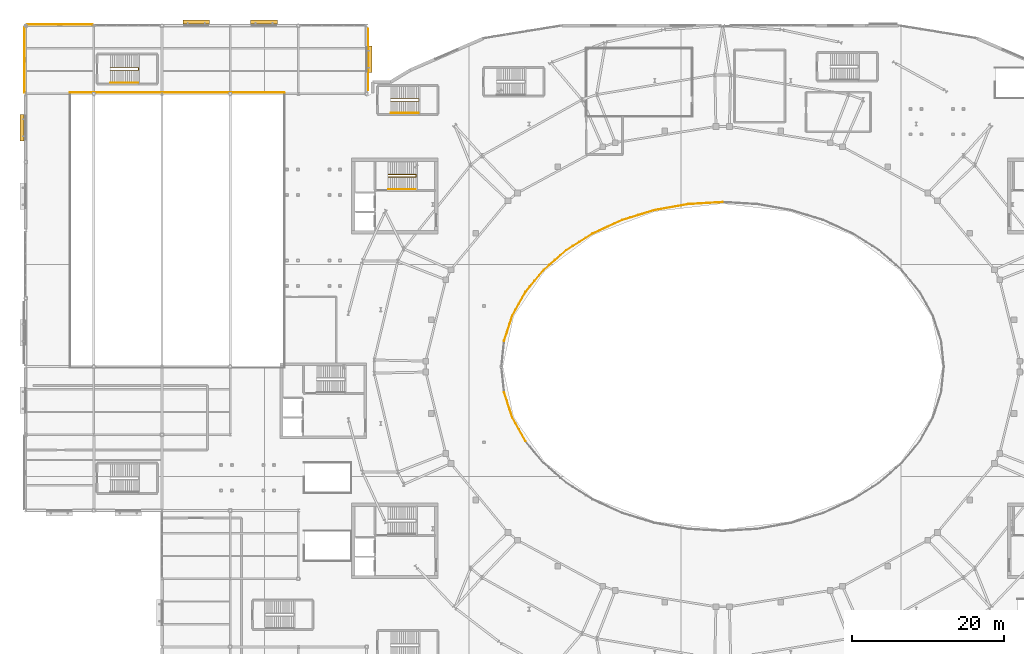
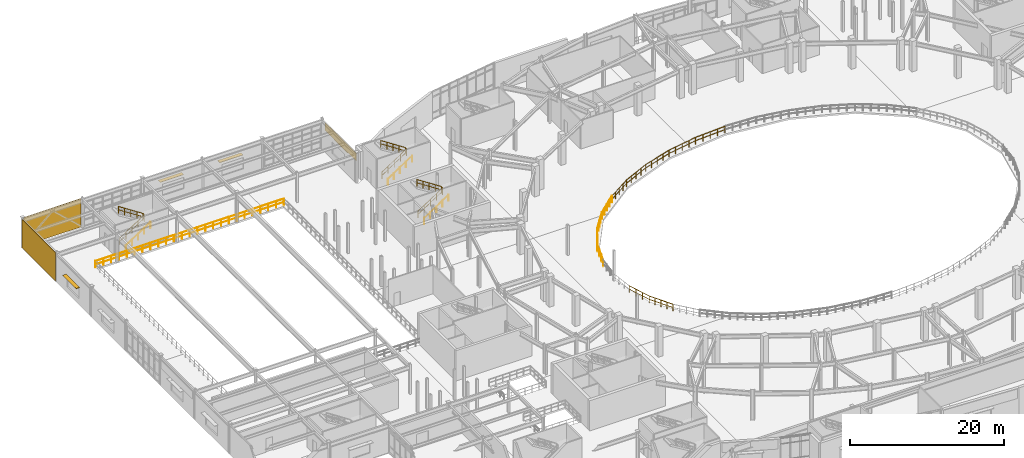
# One storey, part 84 of 86: 18 railings, 4 shading devices, 3 coverings.
"""IFC4 building model written with IfcOpenShell, lengths in metres."""

from ifc_helpers import new_model, si_unit, direction, frame, origin, origin_2d, place, context, subcontext, project, spatial, rectangle, circle, extrude, material, layer, layer_set, type_object, element, save


model = new_model("IFC4")

# Units and contexts
model_context = context("Model", 3, precision=1e-05, world=origin(), true_north=direction((0.0, 1.0)))
body_context = subcontext(model_context, "Body", "Model", "MODEL_VIEW")
ifc_project = project(units=[si_unit("LENGTHUNIT", "METRE"), si_unit("AREAUNIT", "SQUARE_METRE"), si_unit("VOLUMEUNIT", "CUBIC_METRE"), si_unit("PLANEANGLEUNIT", "RADIAN"), si_unit("MASSUNIT", "GRAM", prefix="KILO")], contexts=[model_context])

# Site, building, storey
site_placement = place(None, origin())
site = spatial("IfcSite", under=ifc_project, at=site_placement, CompositionType="ELEMENT")
building_placement = place(site_placement, origin())
building = spatial("IfcBuilding", under=site, at=building_placement, Name="Glasvene Arena", CompositionType="ELEMENT")
storey_placement = place(building_placement, frame((0.0, 0.0, 5.39990234375)))
storey = spatial("IfcBuildingStorey", under=building, at=storey_placement, Name="L01", CompositionType="ELEMENT", Elevation=5.39990234375)

# Coverings
ifc_material_1 = material(Name="Coursed pale Irish limestone", Category="masonry")
ifc_layer_1 = layer(ifc_material_1, 0.050048828125)
ifc_layer_set_1 = layer_set([ifc_layer_1], Name="Coursed pale Irish limestone")
covering_type = type_object("IfcCoveringType", Name="COV-CLAD-LIM", PredefinedType="CLADDING", material=ifc_layer_set_1)
covering_1_placement = place(storey_placement, frame((4.537109375, 118.139892578125, 0.0), z_axis=(0.0, 0.0, 1.0), x_axis=(1.0, 0.0, 0.0)))
element("IfcCovering", 1, at=covering_1_placement, inside=storey, type_object=covering_type, Name="Braced bay architectural cladding screen L01-000", PredefinedType="CLADDING", context=body_context, shape_type="SweptSolid", body=[
    extrude(rectangle(XDim=8.65283203125, YDim=0.050048828125, at=origin_2d()), origin(), (0.0, 0.0, 1.0), 4.52001953125),
])
covering_2_placement = place(storey_placement, frame((45.219970703125, 113.5341796875, 2.9501953125), z_axis=(0.0, 0.0, 1.0), x_axis=(0.0, -1.0, 0.0)))
element("IfcCovering", 2, at=covering_2_placement, inside=storey, type_object=covering_type, Name="Irish limestone spandrel cladding EW-L01-0068", PredefinedType="CLADDING", context=body_context, shape_type="SweptSolid", body=[
    extrude(rectangle(XDim=8.107177734375, YDim=0.050048828125, at=origin_2d()), origin(), (0.0, 0.0, 1.0), 1.215087890625),
])
covering_3_placement = place(storey_placement, frame((-0.139892578125, 113.4658203125, 0.0), z_axis=(0.0, 0.0, 1.0), x_axis=(0.0, 1.0, 0.0)))
element("IfcCovering", 3, at=covering_3_placement, inside=storey, type_object=covering_type, Name="Braced bay architectural cladding screen L01-079", PredefinedType="CLADDING", context=body_context, shape_type="SweptSolid", body=[
    extrude(rectangle(XDim=8.647216796875, YDim=0.050048828125, at=origin_2d()), origin(), (0.0, 0.0, 1.0), 4.52001953125),
])

# Railings
ifc_material_2 = material(Name="Brushed stainless steel", Category="steel")
railing_type_1 = type_object("IfcRailingType", Name="RL-GUARD-1100", PredefinedType="GUARDRAIL", material=ifc_material_2)
railing_1_placement = place(storey_placement, frame((47.85009765625, 98.010009765625, 0.0)))
element("IfcRailing", 4, at=railing_1_placement, inside=storey, type_object=railing_type_1, Name="Stair inner well continuous guardrail ST-01-L01", PredefinedType="GUARDRAIL", context=body_context, shape_type="SweptSolid", body=[
    extrude(circle(Radius=0.02392578125, at=origin_2d()), frame((0.0, 0.0, 1.076171875), z_axis=(0.837590697589, 0.0, 0.546298291515), x_axis=(0.0, 1.0, 0.0)), (0.0, 0.0, 1.0), 4.3935546875),
    extrude(circle(Radius=0.01611328125, at=origin_2d()), frame((0.0, 0.0, 0.550048828125), z_axis=(0.837590697589, 0.0, 0.546298291515), x_axis=(0.0, 1.0, 0.0)), (0.0, 0.0, 1.0), 4.3935546875),
    extrude(circle(Radius=0.02392578125, at=origin_2d()), frame((3.679931640625, 0.0, 3.47607421875), z_axis=(0.0, 1.0, 0.0), x_axis=(-1.0, 0.0, 0.0)), (0.0, 0.0, 1.0), 0.330078125),
    extrude(circle(Radius=0.01611328125, at=origin_2d()), frame((3.679931640625, 0.0, 2.9501953125), z_axis=(0.0, 1.0, 0.0), x_axis=(-1.0, 0.0, 0.0)), (0.0, 0.0, 1.0), 0.330078125),
    extrude(circle(Radius=0.02392578125, at=origin_2d()), frame((3.679931640625, 0.330078125, 3.47607421875), z_axis=(-0.837616124378, 0.0, 0.546259304892), x_axis=(0.0, -1.0, 0.0)), (0.0, 0.0, 1.0), 4.393310546875),
    extrude(circle(Radius=0.01611328125, at=origin_2d()), frame((3.679931640625, 0.330078125, 2.9501953125), z_axis=(-0.837616124378, 0.0, 0.546259304892), x_axis=(0.0, -1.0, 0.0)), (0.0, 0.0, 1.0), 4.393310546875),
    extrude(circle(Radius=0.02099609375, at=origin_2d()), origin(), (0.0, 0.0, 1.0), 1.052001953125),
    extrude(circle(Radius=0.02099609375, at=origin_2d()), frame((0.919921875, 0.0, 0.60009765625)), (0.0, 0.0, 1.0), 1.052001953125),
    extrude(circle(Radius=0.02099609375, at=origin_2d()), frame((1.83984375, 0.0, 1.2001953125)), (0.0, 0.0, 1.0), 1.052001953125),
    extrude(circle(Radius=0.02099609375, at=origin_2d()), frame((2.760009765625, 0.0, 1.800048828125)), (0.0, 0.0, 1.0), 1.052001953125),
    extrude(circle(Radius=0.02099609375, at=origin_2d()), frame((3.679931640625, 0.0, 2.400146484375)), (0.0, 0.0, 1.0), 1.052001953125),
    extrude(circle(Radius=0.02099609375, at=origin_2d()), frame((3.679931640625, 0.330078125, 2.400146484375)), (0.0, 0.0, 1.0), 1.052001953125),
    extrude(circle(Radius=0.02099609375, at=origin_2d()), frame((2.760009765625, 0.330078125, 3.0)), (0.0, 0.0, 1.0), 1.052001953125),
    extrude(circle(Radius=0.02099609375, at=origin_2d()), frame((1.83984375, 0.330078125, 3.60009765625)), (0.0, 0.0, 1.0), 1.052001953125),
    extrude(circle(Radius=0.02099609375, at=origin_2d()), frame((0.919921875, 0.330078125, 4.2001953125)), (0.0, 0.0, 1.0), 1.052001953125),
    extrude(circle(Radius=0.02099609375, at=origin_2d()), frame((0.0, 0.330078125, 4.800048828125)), (0.0, 0.0, 1.0), 1.052001953125),
])
railing_2_placement = place(storey_placement, frame((48.199951171875, 108.010009765625, 0.0)))
element("IfcRailing", 5, at=railing_2_placement, inside=storey, type_object=railing_type_1, Name="Stair inner well continuous guardrail ST-12-L01", PredefinedType="GUARDRAIL", context=body_context, shape_type="SweptSolid", body=[
    extrude(circle(Radius=0.02392578125, at=origin_2d()), frame((0.0, 0.0, 1.076171875), z_axis=(0.837590697589, 0.0, 0.546298291515), x_axis=(0.0, 1.0, 0.0)), (0.0, 0.0, 1.0), 4.3935546875),
    extrude(circle(Radius=0.01611328125, at=origin_2d()), frame((0.0, 0.0, 0.550048828125), z_axis=(0.837590697589, 0.0, 0.546298291515), x_axis=(0.0, 1.0, 0.0)), (0.0, 0.0, 1.0), 4.3935546875),
    extrude(circle(Radius=0.02392578125, at=origin_2d()), frame((3.679931640625, 0.0, 3.47607421875), z_axis=(0.0, 1.0, 0.0), x_axis=(-1.0, 0.0, 0.0)), (0.0, 0.0, 1.0), 0.330078125),
    extrude(circle(Radius=0.01611328125, at=origin_2d()), frame((3.679931640625, 0.0, 2.9501953125), z_axis=(0.0, 1.0, 0.0), x_axis=(-1.0, 0.0, 0.0)), (0.0, 0.0, 1.0), 0.330078125),
    extrude(circle(Radius=0.02392578125, at=origin_2d()), frame((3.679931640625, 0.330078125, 3.47607421875), z_axis=(-0.837616124378, 0.0, 0.546259304892), x_axis=(0.0, -1.0, 0.0)), (0.0, 0.0, 1.0), 4.393310546875),
    extrude(circle(Radius=0.01611328125, at=origin_2d()), frame((3.679931640625, 0.330078125, 2.9501953125), z_axis=(-0.837616124378, 0.0, 0.546259304892), x_axis=(0.0, -1.0, 0.0)), (0.0, 0.0, 1.0), 4.393310546875),
    extrude(circle(Radius=0.02099609375, at=origin_2d()), origin(), (0.0, 0.0, 1.0), 1.052001953125),
    extrude(circle(Radius=0.02099609375, at=origin_2d()), frame((0.919921875, 0.0, 0.60009765625)), (0.0, 0.0, 1.0), 1.052001953125),
    extrude(circle(Radius=0.02099609375, at=origin_2d()), frame((1.83984375, 0.0, 1.2001953125)), (0.0, 0.0, 1.0), 1.052001953125),
    extrude(circle(Radius=0.02099609375, at=origin_2d()), frame((2.760009765625, 0.0, 1.800048828125)), (0.0, 0.0, 1.0), 1.052001953125),
    extrude(circle(Radius=0.02099609375, at=origin_2d()), frame((3.679931640625, 0.0, 2.400146484375)), (0.0, 0.0, 1.0), 1.052001953125),
    extrude(circle(Radius=0.02099609375, at=origin_2d()), frame((3.679931640625, 0.330078125, 2.400146484375)), (0.0, 0.0, 1.0), 1.052001953125),
    extrude(circle(Radius=0.02099609375, at=origin_2d()), frame((2.760009765625, 0.330078125, 3.0)), (0.0, 0.0, 1.0), 1.052001953125),
    extrude(circle(Radius=0.02099609375, at=origin_2d()), frame((1.83984375, 0.330078125, 3.60009765625)), (0.0, 0.0, 1.0), 1.052001953125),
    extrude(circle(Radius=0.02099609375, at=origin_2d()), frame((0.919921875, 0.330078125, 4.2001953125)), (0.0, 0.0, 1.0), 1.052001953125),
    extrude(circle(Radius=0.02099609375, at=origin_2d()), frame((0.0, 0.330078125, 4.800048828125)), (0.0, 0.0, 1.0), 1.052001953125),
])
railing_3_placement = place(storey_placement, frame((11.199951171875, 112.110107421875, 0.0)))
element("IfcRailing", 6, at=railing_3_placement, inside=storey, type_object=railing_type_1, Name="Stair inner well continuous guardrail ST-14-L01", PredefinedType="GUARDRAIL", context=body_context, shape_type="SweptSolid", body=[
    extrude(circle(Radius=0.02392578125, at=origin_2d()), frame((0.0, 0.0, 1.076171875), z_axis=(0.837590697589, 0.0, 0.546298291515), x_axis=(0.0, 1.0, 0.0)), (0.0, 0.0, 1.0), 4.3935546875),
    extrude(circle(Radius=0.01611328125, at=origin_2d()), frame((0.0, 0.0, 0.550048828125), z_axis=(0.837590697589, 0.0, 0.546298291515), x_axis=(0.0, 1.0, 0.0)), (0.0, 0.0, 1.0), 4.3935546875),
    extrude(circle(Radius=0.02392578125, at=origin_2d()), frame((3.679931640625, 0.0, 3.47607421875), z_axis=(0.0, 1.0, 0.0), x_axis=(-1.0, 0.0, 0.0)), (0.0, 0.0, 1.0), 0.329833984375),
    extrude(circle(Radius=0.01611328125, at=origin_2d()), frame((3.679931640625, 0.0, 2.9501953125), z_axis=(0.0, 1.0, 0.0), x_axis=(-1.0, 0.0, 0.0)), (0.0, 0.0, 1.0), 0.329833984375),
    extrude(circle(Radius=0.02392578125, at=origin_2d()), frame((3.679931640625, 0.329833984375, 3.47607421875), z_axis=(-0.837616124378, 0.0, 0.546259304892), x_axis=(0.0, -1.0, 0.0)), (0.0, 0.0, 1.0), 4.393310546875),
    extrude(circle(Radius=0.01611328125, at=origin_2d()), frame((3.679931640625, 0.329833984375, 2.9501953125), z_axis=(-0.837616124378, 0.0, 0.546259304892), x_axis=(0.0, -1.0, 0.0)), (0.0, 0.0, 1.0), 4.393310546875),
    extrude(circle(Radius=0.02099609375, at=origin_2d()), origin(), (0.0, 0.0, 1.0), 1.052001953125),
    extrude(circle(Radius=0.02099609375, at=origin_2d()), frame((0.919921875, 0.0, 0.60009765625)), (0.0, 0.0, 1.0), 1.052001953125),
    extrude(circle(Radius=0.02099609375, at=origin_2d()), frame((1.83984375, 0.0, 1.2001953125)), (0.0, 0.0, 1.0), 1.052001953125),
    extrude(circle(Radius=0.02099609375, at=origin_2d()), frame((2.760009765625, 0.0, 1.800048828125)), (0.0, 0.0, 1.0), 1.052001953125),
    extrude(circle(Radius=0.02099609375, at=origin_2d()), frame((3.679931640625, 0.0, 2.400146484375)), (0.0, 0.0, 1.0), 1.052001953125),
    extrude(circle(Radius=0.02099609375, at=origin_2d()), frame((3.679931640625, 0.329833984375, 2.400146484375)), (0.0, 0.0, 1.0), 1.052001953125),
    extrude(circle(Radius=0.02099609375, at=origin_2d()), frame((2.760009765625, 0.329833984375, 3.0)), (0.0, 0.0, 1.0), 1.052001953125),
    extrude(circle(Radius=0.02099609375, at=origin_2d()), frame((1.83984375, 0.329833984375, 3.60009765625)), (0.0, 0.0, 1.0), 1.052001953125),
    extrude(circle(Radius=0.02099609375, at=origin_2d()), frame((0.919921875, 0.329833984375, 4.2001953125)), (0.0, 0.0, 1.0), 1.052001953125),
    extrude(circle(Radius=0.02099609375, at=origin_2d()), frame((0.0, 0.329833984375, 4.800048828125)), (0.0, 0.0, 1.0), 1.052001953125),
])
railing_4_placement = place(storey_placement, frame((34.14990234375, 109.14990234375, 0.0)))
element("IfcRailing", 7, at=railing_4_placement, inside=storey, type_object=railing_type_1, Name="Safety guardrail GD-ATR-CRT-003", PredefinedType="GUARDRAIL", context=body_context, shape_type="SweptSolid", body=[
    extrude(circle(Radius=0.02392578125, at=origin_2d()), frame((0.0, 0.0, 1.076171875), z_axis=(-1.0, 0.0, 0.0), x_axis=(0.0, -1.0, 0.0)), (0.0, 0.0, 1.0), 28.2998046875),
    extrude(circle(Radius=0.01611328125, at=origin_2d()), frame((0.0, 0.0, 0.550048828125), z_axis=(-1.0, 0.0, 0.0), x_axis=(0.0, -1.0, 0.0)), (0.0, 0.0, 1.0), 28.2998046875),
    extrude(circle(Radius=0.02099609375, at=origin_2d()), origin(), (0.0, 0.0, 1.0), 1.052001953125),
    extrude(circle(Radius=0.02099609375, at=origin_2d()), frame((-1.17919921875, 0.0, 0.0)), (0.0, 0.0, 1.0), 1.052001953125),
    extrude(circle(Radius=0.02099609375, at=origin_2d()), frame((-2.3583984375, 0.0, 0.0)), (0.0, 0.0, 1.0), 1.052001953125),
    extrude(circle(Radius=0.02099609375, at=origin_2d()), frame((-3.53759765625, 0.0, 0.0)), (0.0, 0.0, 1.0), 1.052001953125),
    extrude(circle(Radius=0.02099609375, at=origin_2d()), frame((-4.716552734375, 0.0, 0.0)), (0.0, 0.0, 1.0), 1.052001953125),
    extrude(circle(Radius=0.02099609375, at=origin_2d()), frame((-5.895751953125, 0.0, 0.0)), (0.0, 0.0, 1.0), 1.052001953125),
    extrude(circle(Radius=0.02099609375, at=origin_2d()), frame((-7.074951171875, 0.0, 0.0)), (0.0, 0.0, 1.0), 1.052001953125),
    extrude(circle(Radius=0.02099609375, at=origin_2d()), frame((-8.254150390625, 0.0, 0.0)), (0.0, 0.0, 1.0), 1.052001953125),
    extrude(circle(Radius=0.02099609375, at=origin_2d()), frame((-9.433349609375, 0.0, 0.0)), (0.0, 0.0, 1.0), 1.052001953125),
    extrude(circle(Radius=0.02099609375, at=origin_2d()), frame((-10.6123046875, 0.0, 0.0)), (0.0, 0.0, 1.0), 1.052001953125),
    extrude(circle(Radius=0.02099609375, at=origin_2d()), frame((-11.79150390625, 0.0, 0.0)), (0.0, 0.0, 1.0), 1.052001953125),
    extrude(circle(Radius=0.02099609375, at=origin_2d()), frame((-12.970703125, 0.0, 0.0)), (0.0, 0.0, 1.0), 1.052001953125),
    extrude(circle(Radius=0.02099609375, at=origin_2d()), frame((-14.14990234375, 0.0, 0.0)), (0.0, 0.0, 1.0), 1.052001953125),
    extrude(circle(Radius=0.02099609375, at=origin_2d()), frame((-15.3291015625, 0.0, 0.0)), (0.0, 0.0, 1.0), 1.052001953125),
    extrude(circle(Radius=0.02099609375, at=origin_2d()), frame((-16.50830078125, 0.0, 0.0)), (0.0, 0.0, 1.0), 1.052001953125),
    extrude(circle(Radius=0.02099609375, at=origin_2d()), frame((-17.6875, 0.0, 0.0)), (0.0, 0.0, 1.0), 1.052001953125),
    extrude(circle(Radius=0.02099609375, at=origin_2d()), frame((-18.866455078125, 0.0, 0.0)), (0.0, 0.0, 1.0), 1.052001953125),
    extrude(circle(Radius=0.02099609375, at=origin_2d()), frame((-20.045654296875, 0.0, 0.0)), (0.0, 0.0, 1.0), 1.052001953125),
    extrude(circle(Radius=0.02099609375, at=origin_2d()), frame((-21.224853515625, 0.0, 0.0)), (0.0, 0.0, 1.0), 1.052001953125),
    extrude(circle(Radius=0.02099609375, at=origin_2d()), frame((-22.404052734375, 0.0, 0.0)), (0.0, 0.0, 1.0), 1.052001953125),
    extrude(circle(Radius=0.02099609375, at=origin_2d()), frame((-23.583251953125, 0.0, 0.0)), (0.0, 0.0, 1.0), 1.052001953125),
    extrude(circle(Radius=0.02099609375, at=origin_2d()), frame((-24.76220703125, 0.0, 0.0)), (0.0, 0.0, 1.0), 1.052001953125),
    extrude(circle(Radius=0.02099609375, at=origin_2d()), frame((-25.94140625, 0.0, 0.0)), (0.0, 0.0, 1.0), 1.052001953125),
    extrude(circle(Radius=0.02099609375, at=origin_2d()), frame((-27.12060546875, 0.0, 0.0)), (0.0, 0.0, 1.0), 1.052001953125),
    extrude(circle(Radius=0.02099609375, at=origin_2d()), frame((-28.2998046875, 0.0, 0.0)), (0.0, 0.0, 1.0), 1.052001953125),
])
railing_5_placement = place(storey_placement, frame((92.0, 94.699951171875, 0.0)))
element("IfcRailing", 8, at=railing_5_placement, inside=storey, type_object=railing_type_1, Name="Safety guardrail GD-BWL-L01-011", PredefinedType="GUARDRAIL", context=body_context, shape_type="SweptSolid", body=[
    extrude(circle(Radius=0.02392578125, at=origin_2d()), frame((0.0, 0.0, 1.076171875), z_axis=(-0.998294918251, -0.058371707139, 0.0), x_axis=(0.058371707139, -0.998294918251, 0.0)), (0.0, 0.0, 1.0), 4.57568359375),
    extrude(circle(Radius=0.01611328125, at=origin_2d()), frame((0.0, 0.0, 0.550048828125), z_axis=(-0.998294918251, -0.058371707139, 0.0), x_axis=(0.058371707139, -0.998294918251, 0.0)), (0.0, 0.0, 1.0), 4.57568359375),
    extrude(circle(Radius=0.02099609375, at=origin_2d()), origin(), (0.0, 0.0, 1.0), 1.052001953125),
    extrude(circle(Radius=0.02099609375, at=origin_2d()), frame((-1.14208984375, -0.06689453125, 0.0)), (0.0, 0.0, 1.0), 1.052001953125),
    extrude(circle(Radius=0.02099609375, at=origin_2d()), frame((-2.283935546875, -0.133544921875, 0.0)), (0.0, 0.0, 1.0), 1.052001953125),
    extrude(circle(Radius=0.02099609375, at=origin_2d()), frame((-3.42578125, -0.2001953125, 0.0)), (0.0, 0.0, 1.0), 1.052001953125),
    extrude(circle(Radius=0.02099609375, at=origin_2d()), frame((-4.56787109375, -0.26708984375, 0.0)), (0.0, 0.0, 1.0), 1.052001953125),
])
railing_6_placement = place(storey_placement, frame((87.43212890625, 94.432861328125, 0.0)))
element("IfcRailing", 9, at=railing_6_placement, inside=storey, type_object=railing_type_1, Name="Safety guardrail GD-BWL-L01-012", PredefinedType="GUARDRAIL", context=body_context, shape_type="SweptSolid", body=[
    extrude(circle(Radius=0.02392578125, at=origin_2d()), frame((0.0, 0.0, 1.076171875), z_axis=(-0.984453237515, -0.175646870587, 0.0), x_axis=(0.175646870587, -0.984453237515, 0.0)), (0.0, 0.0, 1.0), 4.525634765625),
    extrude(circle(Radius=0.01611328125, at=origin_2d()), frame((0.0, 0.0, 0.550048828125), z_axis=(-0.984453237515, -0.175646870587, 0.0), x_axis=(0.175646870587, -0.984453237515, 0.0)), (0.0, 0.0, 1.0), 4.525634765625),
    extrude(circle(Radius=0.02099609375, at=origin_2d()), origin(), (0.0, 0.0, 1.0), 1.052001953125),
    extrude(circle(Radius=0.02099609375, at=origin_2d()), frame((-1.11376953125, -0.19873046875, 0.0)), (0.0, 0.0, 1.0), 1.052001953125),
    extrude(circle(Radius=0.02099609375, at=origin_2d()), frame((-2.2275390625, -0.3974609375, 0.0)), (0.0, 0.0, 1.0), 1.052001953125),
    extrude(circle(Radius=0.02099609375, at=origin_2d()), frame((-3.341552734375, -0.59619140625, 0.0)), (0.0, 0.0, 1.0), 1.052001953125),
    extrude(circle(Radius=0.02099609375, at=origin_2d()), frame((-4.455322265625, -0.794921875, 0.0)), (0.0, 0.0, 1.0), 1.052001953125),
])
railing_7_placement = place(storey_placement, frame((82.976806640625, 93.637939453125, 0.0)))
element("IfcRailing", 10, at=railing_7_placement, inside=storey, type_object=railing_type_1, Name="Safety guardrail GD-BWL-L01-013", PredefinedType="GUARDRAIL", context=body_context, shape_type="SweptSolid", body=[
    extrude(circle(Radius=0.02392578125, at=origin_2d()), frame((0.0, 0.0, 1.076171875), z_axis=(-0.955738480796, -0.294217532323, 0.0), x_axis=(0.294217532323, -0.955738480796, 0.0)), (0.0, 0.0, 1.0), 4.429443359375),
    extrude(circle(Radius=0.01611328125, at=origin_2d()), frame((0.0, 0.0, 0.550048828125), z_axis=(-0.955738480796, -0.294217532323, 0.0), x_axis=(0.294217532323, -0.955738480796, 0.0)), (0.0, 0.0, 1.0), 4.429443359375),
    extrude(circle(Radius=0.02099609375, at=origin_2d()), origin(), (0.0, 0.0, 1.0), 1.052001953125),
    extrude(circle(Radius=0.02099609375, at=origin_2d()), frame((-1.058349609375, -0.32568359375, 0.0)), (0.0, 0.0, 1.0), 1.052001953125),
    extrude(circle(Radius=0.02099609375, at=origin_2d()), frame((-2.11669921875, -0.651611328125, 0.0)), (0.0, 0.0, 1.0), 1.052001953125),
    extrude(circle(Radius=0.02099609375, at=origin_2d()), frame((-3.175048828125, -0.9775390625, 0.0)), (0.0, 0.0, 1.0), 1.052001953125),
    extrude(circle(Radius=0.02099609375, at=origin_2d()), frame((-4.2333984375, -1.30322265625, 0.0)), (0.0, 0.0, 1.0), 1.052001953125),
])
railing_8_placement = place(storey_placement, frame((78.743408203125, 92.334716796875, 0.0)))
element("IfcRailing", 11, at=railing_8_placement, inside=storey, type_object=railing_type_1, Name="Safety guardrail GD-BWL-L01-014", PredefinedType="GUARDRAIL", context=body_context, shape_type="SweptSolid", body=[
    extrude(circle(Radius=0.02392578125, at=origin_2d()), frame((0.0, 0.0, 1.076171875), z_axis=(-0.910079947412, -0.414432731958, 0.0), x_axis=(0.414432731958, -0.910079947412, 0.0)), (0.0, 0.0, 1.0), 4.292724609375),
    extrude(circle(Radius=0.01611328125, at=origin_2d()), frame((0.0, 0.0, 0.550048828125), z_axis=(-0.910079947412, -0.414432731958, 0.0), x_axis=(0.414432731958, -0.910079947412, 0.0)), (0.0, 0.0, 1.0), 4.292724609375),
    extrude(circle(Radius=0.02099609375, at=origin_2d()), origin(), (0.0, 0.0, 1.0), 1.052001953125),
    extrude(circle(Radius=0.02099609375, at=origin_2d()), frame((-0.9765625, -0.44482421875, 0.0)), (0.0, 0.0, 1.0), 1.052001953125),
    extrude(circle(Radius=0.02099609375, at=origin_2d()), frame((-1.953369140625, -0.8896484375, 0.0)), (0.0, 0.0, 1.0), 1.052001953125),
    extrude(circle(Radius=0.02099609375, at=origin_2d()), frame((-2.93017578125, -1.334228515625, 0.0)), (0.0, 0.0, 1.0), 1.052001953125),
    extrude(circle(Radius=0.02099609375, at=origin_2d()), frame((-3.90673828125, -1.779052734375, 0.0)), (0.0, 0.0, 1.0), 1.052001953125),
])
railing_9_placement = place(storey_placement, frame((74.836669921875, 90.5556640625, 0.0)))
element("IfcRailing", 12, at=railing_9_placement, inside=storey, type_object=railing_type_1, Name="Safety guardrail GD-BWL-L01-015", PredefinedType="GUARDRAIL", context=body_context, shape_type="SweptSolid", body=[
    extrude(circle(Radius=0.02392578125, at=origin_2d()), frame((0.0, 0.0, 1.076171875), z_axis=(-0.844291843699, -0.535883646572, 0.0), x_axis=(0.535883646572, -0.844291843699, 0.0)), (0.0, 0.0, 1.0), 4.126708984375),
    extrude(circle(Radius=0.01611328125, at=origin_2d()), frame((0.0, 0.0, 0.550048828125), z_axis=(-0.844291843699, -0.535883646572, 0.0), x_axis=(0.535883646572, -0.844291843699, 0.0)), (0.0, 0.0, 1.0), 4.126708984375),
    extrude(circle(Radius=0.02099609375, at=origin_2d()), origin(), (0.0, 0.0, 1.0), 1.052001953125),
    extrude(circle(Radius=0.02099609375, at=origin_2d()), frame((-0.87109375, -0.552734375, 0.0)), (0.0, 0.0, 1.0), 1.052001953125),
    extrude(circle(Radius=0.02099609375, at=origin_2d()), frame((-1.7421875, -1.105712890625, 0.0)), (0.0, 0.0, 1.0), 1.052001953125),
    extrude(circle(Radius=0.02099609375, at=origin_2d()), frame((-2.613037109375, -1.65869140625, 0.0)), (0.0, 0.0, 1.0), 1.052001953125),
    extrude(circle(Radius=0.02099609375, at=origin_2d()), frame((-3.484130859375, -2.21142578125, 0.0)), (0.0, 0.0, 1.0), 1.052001953125),
])
railing_10_placement = place(storey_placement, frame((71.3525390625, 88.34423828125, 0.0)))
element("IfcRailing", 13, at=railing_10_placement, inside=storey, type_object=railing_type_1, Name="Safety guardrail GD-BWL-L01-016", PredefinedType="GUARDRAIL", context=body_context, shape_type="SweptSolid", body=[
    extrude(circle(Radius=0.02392578125, at=origin_2d()), frame((0.0, 0.0, 1.076171875), z_axis=(-0.754394959105, -0.656420784007, 0.0), x_axis=(0.656420784007, -0.754394959105, 0.0)), (0.0, 0.0, 1.0), 3.944580078125),
    extrude(circle(Radius=0.01611328125, at=origin_2d()), frame((0.0, 0.0, 0.550048828125), z_axis=(-0.754394959105, -0.656420784007, 0.0), x_axis=(0.656420784007, -0.754394959105, 0.0)), (0.0, 0.0, 1.0), 3.944580078125),
    extrude(circle(Radius=0.02099609375, at=origin_2d()), origin(), (0.0, 0.0, 1.0), 1.052001953125),
    extrude(circle(Radius=0.02099609375, at=origin_2d()), frame((-0.743896484375, -0.6474609375, 0.0)), (0.0, 0.0, 1.0), 1.052001953125),
    extrude(circle(Radius=0.02099609375, at=origin_2d()), frame((-1.48779296875, -1.294677734375, 0.0)), (0.0, 0.0, 1.0), 1.052001953125),
    extrude(circle(Radius=0.02099609375, at=origin_2d()), frame((-2.23193359375, -1.94189453125, 0.0)), (0.0, 0.0, 1.0), 1.052001953125),
    extrude(circle(Radius=0.02099609375, at=origin_2d()), frame((-2.975830078125, -2.58935546875, 0.0)), (0.0, 0.0, 1.0), 1.052001953125),
])
railing_11_placement = place(storey_placement, frame((68.376708984375, 85.7548828125, 0.0)))
element("IfcRailing", 14, at=railing_11_placement, inside=storey, type_object=railing_type_1, Name="Safety guardrail GD-BWL-L01-017", PredefinedType="GUARDRAIL", context=body_context, shape_type="SweptSolid", body=[
    extrude(circle(Radius=0.02392578125, at=origin_2d()), frame((0.0, 0.0, 1.076171875), z_axis=(-0.6361937785, -0.771529310006, 0.0), x_axis=(0.771529310006, -0.6361937785, 0.0)), (0.0, 0.0, 1.0), 3.76318359375),
    extrude(circle(Radius=0.01611328125, at=origin_2d()), frame((0.0, 0.0, 0.550048828125), z_axis=(-0.6361937785, -0.771529310006, 0.0), x_axis=(0.771529310006, -0.6361937785, 0.0)), (0.0, 0.0, 1.0), 3.76318359375),
    extrude(circle(Radius=0.02099609375, at=origin_2d()), origin(), (0.0, 0.0, 1.0), 1.052001953125),
    extrude(circle(Radius=0.02099609375, at=origin_2d()), frame((-0.5986328125, -0.725830078125, 0.0)), (0.0, 0.0, 1.0), 1.052001953125),
    extrude(circle(Radius=0.02099609375, at=origin_2d()), frame((-1.197021484375, -1.45166015625, 0.0)), (0.0, 0.0, 1.0), 1.052001953125),
    extrude(circle(Radius=0.02099609375, at=origin_2d()), frame((-1.79541015625, -2.177490234375, 0.0)), (0.0, 0.0, 1.0), 1.052001953125),
    extrude(circle(Radius=0.02099609375, at=origin_2d()), frame((-2.39404296875, -2.9033203125, 0.0)), (0.0, 0.0, 1.0), 1.052001953125),
])
railing_12_placement = place(storey_placement, frame((65.982666015625, 82.8515625, 0.0)))
element("IfcRailing", 15, at=railing_12_placement, inside=storey, type_object=railing_type_1, Name="Safety guardrail GD-BWL-L01-018", PredefinedType="GUARDRAIL", context=body_context, shape_type="SweptSolid", body=[
    extrude(circle(Radius=0.02392578125, at=origin_2d()), frame((0.0, 0.0, 1.076171875), z_axis=(-0.486920149471, -0.873446488366, 0.0), x_axis=(0.873446488366, -0.486920149471, 0.0)), (0.0, 0.0, 1.0), 3.6015625),
    extrude(circle(Radius=0.01611328125, at=origin_2d()), frame((0.0, 0.0, 0.550048828125), z_axis=(-0.486920149471, -0.873446488366, 0.0), x_axis=(0.873446488366, -0.486920149471, 0.0)), (0.0, 0.0, 1.0), 3.6015625),
    extrude(circle(Radius=0.02099609375, at=origin_2d()), origin(), (0.0, 0.0, 1.0), 1.052001953125),
    extrude(circle(Radius=0.02099609375, at=origin_2d()), frame((-0.4384765625, -0.786376953125, 0.0)), (0.0, 0.0, 1.0), 1.052001953125),
    extrude(circle(Radius=0.02099609375, at=origin_2d()), frame((-0.876953125, -1.57275390625, 0.0)), (0.0, 0.0, 1.0), 1.052001953125),
    extrude(circle(Radius=0.02099609375, at=origin_2d()), frame((-1.315185546875, -2.359375, 0.0)), (0.0, 0.0, 1.0), 1.052001953125),
    extrude(circle(Radius=0.02099609375, at=origin_2d()), frame((-1.753662109375, -3.145751953125, 0.0)), (0.0, 0.0, 1.0), 1.052001953125),
])
railing_13_placement = place(storey_placement, frame((64.22900390625, 79.705810546875, 0.0)))
element("IfcRailing", 16, at=railing_13_placement, inside=storey, type_object=railing_type_1, Name="Safety guardrail GD-BWL-L01-019", PredefinedType="GUARDRAIL", context=body_context, shape_type="SweptSolid", body=[
    extrude(circle(Radius=0.02392578125, at=origin_2d()), frame((0.0, 0.0, 1.076171875), z_axis=(-0.30737379466, -0.951588855734, 0.0), x_axis=(0.951588855734, -0.30737379466, 0.0)), (0.0, 0.0, 1.0), 3.479736328125),
    extrude(circle(Radius=0.01611328125, at=origin_2d()), frame((0.0, 0.0, 0.550048828125), z_axis=(-0.30737379466, -0.951588855734, 0.0), x_axis=(0.951588855734, -0.30737379466, 0.0)), (0.0, 0.0, 1.0), 3.479736328125),
    extrude(circle(Radius=0.02099609375, at=origin_2d()), origin(), (0.0, 0.0, 1.0), 1.052001953125),
    extrude(circle(Radius=0.02099609375, at=origin_2d()), frame((-0.3564453125, -1.103759765625, 0.0)), (0.0, 0.0, 1.0), 1.052001953125),
    extrude(circle(Radius=0.02099609375, at=origin_2d()), frame((-0.713134765625, -2.20751953125, 0.0)), (0.0, 0.0, 1.0), 1.052001953125),
    extrude(circle(Radius=0.02099609375, at=origin_2d()), frame((-1.069580078125, -3.311279296875, 0.0)), (0.0, 0.0, 1.0), 1.052001953125),
])
railing_14_placement = place(storey_placement, frame((63.159423828125, 69.60546875, 0.0)))
element("IfcRailing", 17, at=railing_14_placement, inside=storey, type_object=railing_type_1, Name="Safety guardrail GD-BWL-L01-022", PredefinedType="GUARDRAIL", context=body_context, shape_type="SweptSolid", body=[
    extrude(circle(Radius=0.02392578125, at=origin_2d()), frame((0.0, 0.0, 1.076171875), z_axis=(0.30737379466, -0.951588855734, 0.0), x_axis=(0.951588855734, 0.30737379466, 0.0)), (0.0, 0.0, 1.0), 3.479736328125),
    extrude(circle(Radius=0.01611328125, at=origin_2d()), frame((0.0, 0.0, 0.550048828125), z_axis=(0.30737379466, -0.951588855734, 0.0), x_axis=(0.951588855734, 0.30737379466, 0.0)), (0.0, 0.0, 1.0), 3.479736328125),
    extrude(circle(Radius=0.02099609375, at=origin_2d()), origin(), (0.0, 0.0, 1.0), 1.052001953125),
    extrude(circle(Radius=0.02099609375, at=origin_2d()), frame((0.3564453125, -1.103759765625, 0.0)), (0.0, 0.0, 1.0), 1.052001953125),
    extrude(circle(Radius=0.02099609375, at=origin_2d()), frame((0.713134765625, -2.20751953125, 0.0)), (0.0, 0.0, 1.0), 1.052001953125),
    extrude(circle(Radius=0.02099609375, at=origin_2d()), frame((1.069580078125, -3.311279296875, 0.0)), (0.0, 0.0, 1.0), 1.052001953125),
])
railing_15_placement = place(storey_placement, frame((64.22900390625, 66.294189453125, 0.0)))
element("IfcRailing", 18, at=railing_15_placement, inside=storey, type_object=railing_type_1, Name="Safety guardrail GD-BWL-L01-023", PredefinedType="GUARDRAIL", context=body_context, shape_type="SweptSolid", body=[
    extrude(circle(Radius=0.02392578125, at=origin_2d()), frame((0.0, 0.0, 1.076171875), z_axis=(0.486920149471, -0.873446488366, 0.0), x_axis=(0.873446488366, 0.486920149471, 0.0)), (0.0, 0.0, 1.0), 3.6015625),
    extrude(circle(Radius=0.01611328125, at=origin_2d()), frame((0.0, 0.0, 0.550048828125), z_axis=(0.486920149471, -0.873446488366, 0.0), x_axis=(0.873446488366, 0.486920149471, 0.0)), (0.0, 0.0, 1.0), 3.6015625),
    extrude(circle(Radius=0.02099609375, at=origin_2d()), origin(), (0.0, 0.0, 1.0), 1.052001953125),
    extrude(circle(Radius=0.02099609375, at=origin_2d()), frame((0.4384765625, -0.786376953125, 0.0)), (0.0, 0.0, 1.0), 1.052001953125),
    extrude(circle(Radius=0.02099609375, at=origin_2d()), frame((0.876953125, -1.57275390625, 0.0)), (0.0, 0.0, 1.0), 1.052001953125),
    extrude(circle(Radius=0.02099609375, at=origin_2d()), frame((1.315185546875, -2.359375, 0.0)), (0.0, 0.0, 1.0), 1.052001953125),
    extrude(circle(Radius=0.02099609375, at=origin_2d()), frame((1.753662109375, -3.145751953125, 0.0)), (0.0, 0.0, 1.0), 1.052001953125),
])
railing_type_2 = type_object("IfcRailingType", Name="RL-HAND-950", PredefinedType="HANDRAIL", material=ifc_material_2)
railing_16_placement = place(storey_placement, frame((47.85009765625, 96.409912109375, 0.0)))
element("IfcRailing", 19, at=railing_16_placement, inside=storey, type_object=railing_type_2, Name="Stair wall handrail ST-01-L01", PredefinedType="HANDRAIL", context=body_context, shape_type="SweptSolid", body=[
    extrude(circle(Radius=0.02392578125, at=origin_2d()), frame((0.0, 0.0, 0.92578125), z_axis=(0.834839479206, 0.0, 0.550493454965), x_axis=(0.0, 1.0, 0.0)), (0.0, 0.0, 1.0), 4.360107421875),
    extrude(circle(Radius=0.02099609375, at=origin_2d()), origin(), (0.0, 0.0, 1.0), 0.90185546875),
    extrude(circle(Radius=0.02099609375, at=origin_2d()), frame((0.909912109375, 0.0, 0.60009765625)), (0.0, 0.0, 1.0), 0.90185546875),
    extrude(circle(Radius=0.02099609375, at=origin_2d()), frame((1.81982421875, 0.0, 1.2001953125)), (0.0, 0.0, 1.0), 0.90185546875),
    extrude(circle(Radius=0.02099609375, at=origin_2d()), frame((2.72998046875, 0.0, 1.800048828125)), (0.0, 0.0, 1.0), 0.90185546875),
    extrude(circle(Radius=0.02099609375, at=origin_2d()), frame((3.639892578125, 0.0, 2.400146484375)), (0.0, 0.0, 1.0), 0.90185546875),
])
for number, where, name in (
    (20, (48.199951171875, 106.4599609375, 0.0), "Stair wall handrail ST-12-L01"),
    (21, (11.199951171875, 110.4599609375, 0.0), "Stair wall handrail ST-14-L01"),
):
    element("IfcRailing", number, at=place(storey_placement, frame(where)), inside=storey, type_object=railing_type_2, Name=name, PredefinedType="HANDRAIL", context=body_context, shape_type="SweptSolid", body=[
        extrude(circle(Radius=0.02392578125, at=origin_2d()), frame((0.0, 0.0, 0.92578125), z_axis=(0.834856447115, 0.0, 0.55046772177), x_axis=(0.0, 1.0, 0.0)), (0.0, 0.0, 1.0), 4.360107421875),
        extrude(circle(Radius=0.02099609375, at=origin_2d()), origin(), (0.0, 0.0, 1.0), 0.90185546875),
        extrude(circle(Radius=0.02099609375, at=origin_2d()), frame((0.91015625, 0.0, 0.60009765625)), (0.0, 0.0, 1.0), 0.90185546875),
        extrude(circle(Radius=0.02099609375, at=origin_2d()), frame((1.820068359375, 0.0, 1.2001953125)), (0.0, 0.0, 1.0), 0.90185546875),
        extrude(circle(Radius=0.02099609375, at=origin_2d()), frame((2.72998046875, 0.0, 1.800048828125)), (0.0, 0.0, 1.0), 0.90185546875),
        extrude(circle(Radius=0.02099609375, at=origin_2d()), frame((3.64013671875, 0.0, 2.400146484375)), (0.0, 0.0, 1.0), 0.90185546875),
    ])

# Shading devices
ifc_material_3 = material(Name="Warm bronze architectural aluminium", Category="aluminium")
ifc_layer_2 = layer(ifc_material_3, 0.06005859375)
ifc_layer_set_2 = layer_set([ifc_layer_2], Name="Warm bronze architectural aluminium")
shading_device_type = type_object("IfcShadingDeviceType", Name="SHD-BRONZE-FIN", PredefinedType="USERDEFINED", material=ifc_layer_set_2)
for number, where, z_axis, x_axis, name in (
    (22, (22.536865234375, 118.465087890625, 2.820068359375), (0.0, 0.0, 1.0), (1.0, 0.0, 0.0), "Warm bronze brise-soleil fin BS-015"),
    (23, (31.463134765625, 118.465087890625, 2.820068359375), (0.0, 0.0, 1.0), (1.0, 0.0, 0.0), "Warm bronze brise-soleil fin BS-016"),
    (24, (45.465087890625, 113.5341796875, 2.820068359375), (0.0, 0.0, 1.0), (0.0, -1.0, 0.0), "Warm bronze brise-soleil fin BS-017"),
    (25, (-0.465087890625, 104.5341796875, 2.820068359375), (0.0, 0.0, 1.0), (0.0, 1.0, 0.0), "Warm bronze brise-soleil fin BS-043"),
):
    element("IfcShadingDevice", number, at=place(storey_placement, frame(where, z_axis=z_axis, x_axis=x_axis)), inside=storey, type_object=shading_device_type, Name=name, ObjectType="BRISE SOLEIL", PredefinedType="USERDEFINED", context=body_context, shape_type="SweptSolid", body=[
        extrude(rectangle(XDim=3.5, YDim=0.550048828125, at=origin_2d()), origin(), (0.0, 0.0, 1.0), 0.06005859375),
    ])

save(model, "model.ifc")
